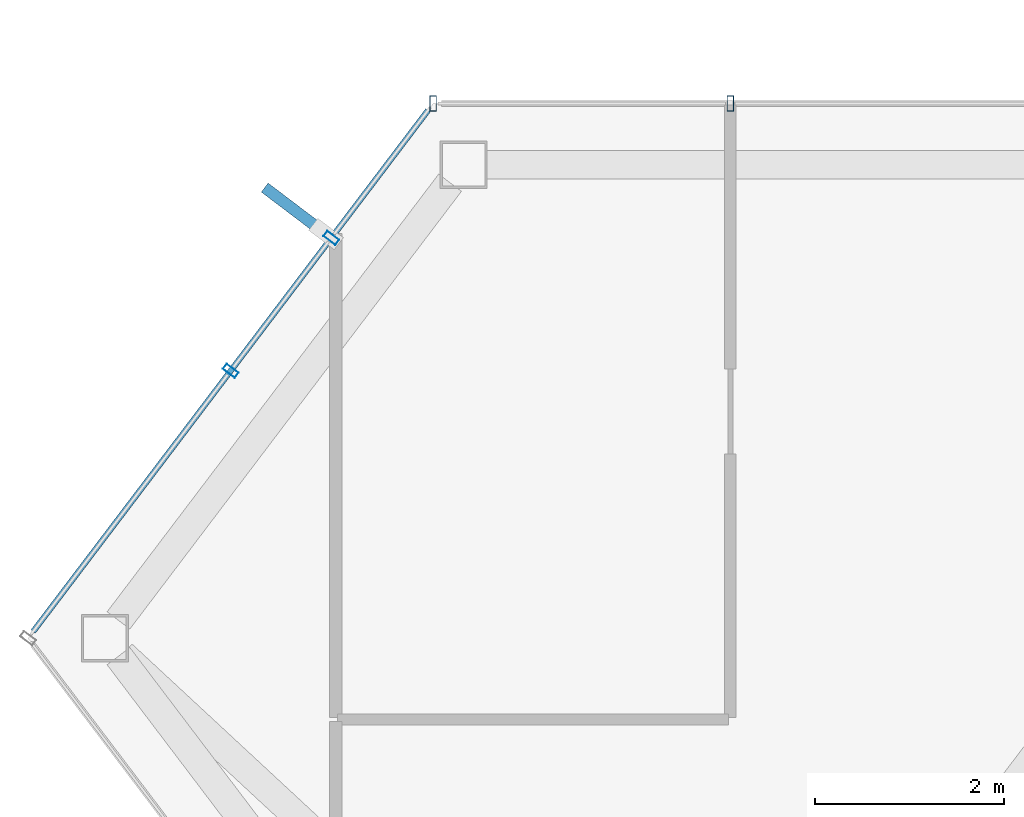
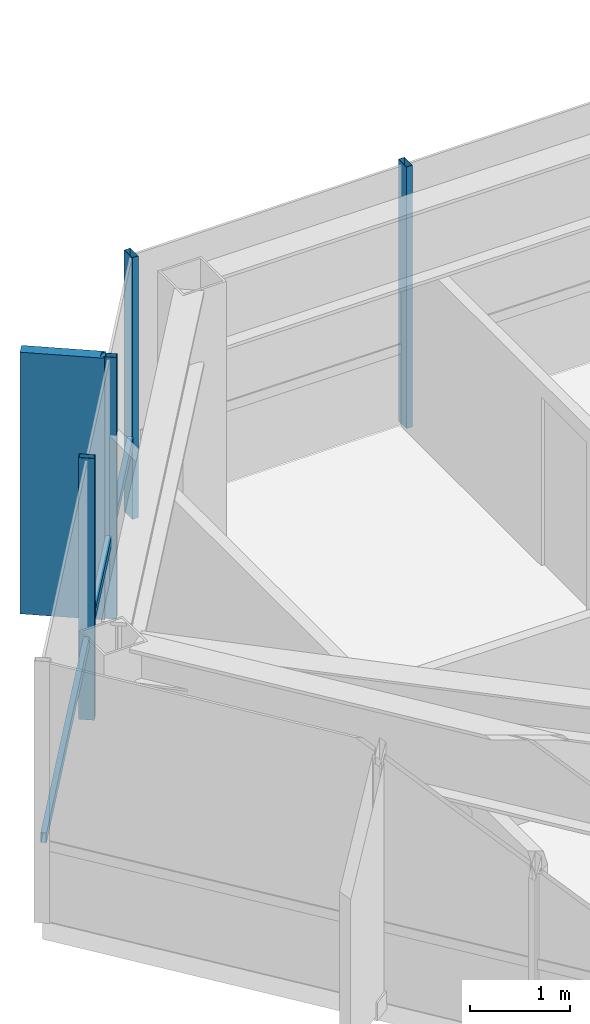
# One storey, part 10 of 26: 6 members, 2 elements without a shape of their own.
"""IFC4 building model written with IfcOpenShell, lengths in metres."""

from ifc_helpers import new_model, si_unit, direction, frame, origin, origin_2d, place, context, subcontext, project, spatial, rectangle, hollow_rectangle, extrude, material, layer, layer_set, material_profile, profile_set, type_object, element, aggregate, save


model = new_model("IFC4")

# Units and contexts
model_context = context("Model", 3, precision=1e-05, world=origin(), true_north=direction((0.0, 1.0)))
body_context = subcontext(model_context, "Body", "Model", "MODEL_VIEW")
ifc_project = project(units=[si_unit("LENGTHUNIT", "METRE"), si_unit("AREAUNIT", "SQUARE_METRE"), si_unit("VOLUMEUNIT", "CUBIC_METRE"), si_unit("PLANEANGLEUNIT", "RADIAN"), si_unit("MASSUNIT", "GRAM", prefix="KILO")], contexts=[model_context])

# Site, building, storey
site_placement = place(None, origin())
site = spatial("IfcSite", under=ifc_project, at=site_placement, CompositionType="ELEMENT")
building_placement = place(site_placement, origin())
building = spatial("IfcBuilding", under=site, at=building_placement, Name="Zarrinselat Tower", CompositionType="ELEMENT")
storey_placement = place(building_placement, frame((0.0, 0.0, 258.39990234375)))
storey = spatial("IfcBuildingStorey", under=building, at=storey_placement, Name="L65", CompositionType="ELEMENT", Elevation=258.39990234375)

# Curtain wall, members
ifc_material_1 = material(Name="Extruded Aluminium Alloy EN AW-6063 T6", Category="aluminium")
ifc_layer = layer(ifc_material_1, 0.169921875)
ifc_layer_set = layer_set([ifc_layer], Name="Extruded Aluminium Alloy EN AW-6063 T6")
curtain_wall_type = type_object("IfcCurtainWallType", Name="CWS-RES", PredefinedType="NOTDEFINED", material=ifc_layer_set)
curtain_wall_1_placement = place(storey_placement, origin())
curtain_wall_1 = element("IfcCurtainWall", 1, at=curtain_wall_1_placement, inside=storey, type_object=curtain_wall_type, Name="L65 Unitised Curtain Wall CW-L65-E01", PredefinedType="NOTDEFINED")
ifc_material_2 = material(Name="Extruded Aluminium Alloy EN AW-6063 T6", Category="aluminium")
ifc_material_profile_1 = material_profile(ifc_material_2, hollow_rectangle(XDim=0.070068359375, YDim=0.159912109375, WallThickness=0.00390625, at=origin_2d()), Name="RHS 160x70x4")
ifc_profile_set_1 = profile_set([ifc_material_profile_1], Name="Extruded Aluminium Alloy EN AW-6063 T6")
member_type_1 = type_object("IfcMemberType", Name="MEM-CW-MUL2", PredefinedType="MULLION", material=ifc_profile_set_1)
member_1_placement = place(storey_placement, frame((23.3037109375, 47.86669921875, 0.0), z_axis=(0.0, 0.0, 1.0), x_axis=(-1.0, 0.0, 0.0)))
member_1 = element("IfcMember", 2, at=member_1_placement, type_object=member_type_1, Name="CW-L65-E01 Mullion 10", PredefinedType="MULLION", context=body_context, shape_type="SweptSolid", body=[
    extrude(hollow_rectangle(XDim=0.070068359375, YDim=0.159912109375, WallThickness=0.00390625, at=origin_2d()), origin(), (0.0, 0.0, 1.0), 3.18017578125),
])
member_2_placement = place(storey_placement, frame((20.1533203125, 47.86669921875, 0.0), z_axis=(0.0, 0.0, 1.0), x_axis=(-1.0, 0.0, 0.0)))
member_2 = element("IfcMember", 3, at=member_2_placement, type_object=member_type_1, Name="CW-L65-E01 Mullion 11", PredefinedType="MULLION", context=body_context, shape_type="SweptSolid", body=[
    extrude(hollow_rectangle(XDim=0.070068359375, YDim=0.159912109375, WallThickness=0.00390625, at=origin_2d()), origin(), (0.0, 0.0, 1.0), 3.18017578125),
])
aggregate(curtain_wall_1, [member_1, member_2])

curtain_wall_2_placement = place(storey_placement, origin())
curtain_wall_2 = element("IfcCurtainWall", 4, at=curtain_wall_2_placement, inside=storey, type_object=curtain_wall_type, Name="L65 Unitised Curtain Wall CW-L65-E02", PredefinedType="NOTDEFINED")
member_3_placement = place(storey_placement, frame((19.07373046875, 46.441650390625, 0.0), z_axis=(0.0, 0.0, 1.0), x_axis=(-0.60385470922, -0.797094404793, 0.0)))
member_3 = element("IfcMember", 5, at=member_3_placement, type_object=member_type_1, Name="CW-L65-E02 Mullion 1", PredefinedType="MULLION", context=body_context, shape_type="SweptSolid", body=[
    extrude(hollow_rectangle(XDim=0.070068359375, YDim=0.159912109375, WallThickness=0.00390625, at=origin_2d()), origin(), (0.0, 0.0, 1.0), 3.18017578125),
])
member_4_placement = place(storey_placement, frame((18.006591796875, 45.033203125, 0.0), z_axis=(0.0, 0.0, 1.0), x_axis=(-0.60385470922, -0.797094404793, 0.0)))
member_4 = element("IfcMember", 6, at=member_4_placement, type_object=member_type_1, Name="CW-L65-E02 Mullion 2", PredefinedType="MULLION", context=body_context, shape_type="SweptSolid", body=[
    extrude(hollow_rectangle(XDim=0.070068359375, YDim=0.159912109375, WallThickness=0.00390625, at=origin_2d()), origin(), (0.0, 0.0, 1.0), 3.18017578125),
])
ifc_material_3 = material(Name="Extruded Aluminium Alloy EN AW-6063 T6", Category="aluminium")
ifc_material_profile_2 = material_profile(ifc_material_3, hollow_rectangle(XDim=0.06005859375, YDim=0.1201171875, WallThickness=0.00390625, at=origin_2d()), Name="RHS 120x60x4")
ifc_profile_set_2 = profile_set([ifc_material_profile_2], Name="Extruded Aluminium Alloy EN AW-6063 T6")
member_type_2 = type_object("IfcMemberType", Name="MEM-CW-TRN2", PredefinedType="USERDEFINED", material=ifc_profile_set_2)
member_5_placement = place(storey_placement, frame((20.09912109375, 47.794921875, 0.9501953125), z_axis=(-0.603876679936, -0.797077759964, 0.0), x_axis=(0.797077759964, -0.603876679936, 0.0)))
member_5 = element("IfcMember", 7, at=member_5_placement, type_object=member_type_2, Name="CW-L65-E02 Transom 1", ObjectType="TRANSOM", PredefinedType="USERDEFINED", context=body_context, shape_type="SweptSolid", body=[
    extrude(hollow_rectangle(XDim=0.06005859375, YDim=0.1201171875, WallThickness=0.00390625, at=origin_2d()), origin(), (0.0, 0.0, 1.0), 6.929931640625),
])
ifc_material_4 = material(Name="Honed Cream Travertine Stone", Category="masonry")
ifc_material_profile_3 = material_profile(ifc_material_4, rectangle(XDim=0.1201171875, YDim=0.85009765625, at=origin_2d()), Name="FIN 850x120")
ifc_profile_set_3 = profile_set([ifc_material_profile_3], Name="Honed Cream Travertine Stone")
member_type_3 = type_object("IfcMemberType", Name="MEM-STONE-FIN", PredefinedType="USERDEFINED", material=ifc_profile_set_3)
member_6_placement = place(storey_placement, frame((18.70703125, 46.719482421875, 0.0), z_axis=(0.0, 0.0, 1.0), x_axis=(0.60385470922, 0.797094404793, 0.0)))
member_6 = element("IfcMember", 8, at=member_6_placement, type_object=member_type_3, Name="L65 Stone Shading Fin CW-L65-E02-01", ObjectType="FIN", PredefinedType="USERDEFINED", context=body_context, shape_type="SweptSolid", body=[
    extrude(rectangle(XDim=0.1201171875, YDim=0.85009765625, at=origin_2d()), origin(), (0.0, 0.0, 1.0), 3.18017578125),
])
aggregate(curtain_wall_2, [member_3, member_6, member_4, member_5])

save(model, "model.ifc")
